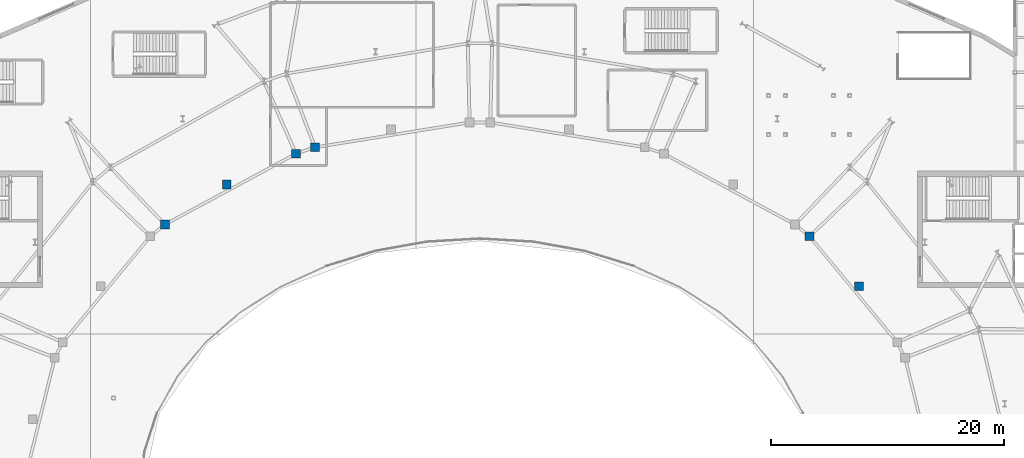
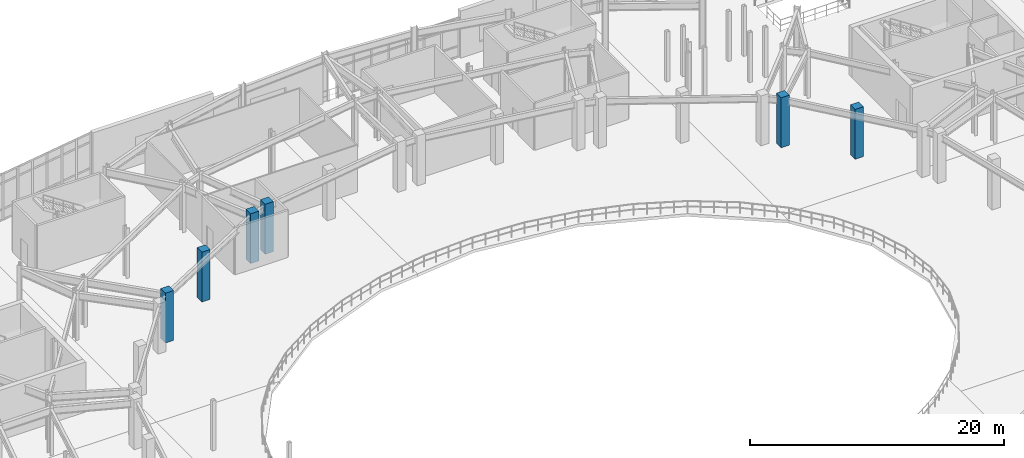
# One storey, part 14 of 86: 6 columns.
"""IFC4 building model written with IfcOpenShell, lengths in metres."""

from ifc_helpers import new_model, si_unit, direction, frame, origin, origin_2d, place, context, subcontext, project, spatial, rectangle, extrude, material, material_profile, profile_set, type_object, element, save


model = new_model("IFC4")

# Units and contexts
model_context = context("Model", 3, precision=1e-05, world=origin(), true_north=direction((0.0, 1.0)))
body_context = subcontext(model_context, "Body", "Model", "MODEL_VIEW")
ifc_project = project(units=[si_unit("LENGTHUNIT", "METRE"), si_unit("AREAUNIT", "SQUARE_METRE"), si_unit("VOLUMEUNIT", "CUBIC_METRE"), si_unit("PLANEANGLEUNIT", "RADIAN"), si_unit("MASSUNIT", "GRAM", prefix="KILO")], contexts=[model_context])

# Site, building, storey
site_placement = place(None, origin())
site = spatial("IfcSite", under=ifc_project, at=site_placement, CompositionType="ELEMENT")
building_placement = place(site_placement, origin())
building = spatial("IfcBuilding", under=site, at=building_placement, Name="Glasvene Arena", CompositionType="ELEMENT")
storey_placement = place(building_placement, frame((0.0, 0.0, 5.39990234375)))
storey = spatial("IfcBuildingStorey", under=building, at=storey_placement, Name="L01", CompositionType="ELEMENT", Elevation=5.39990234375)

# Columns
ifc_material = material(Name="Concrete C40/50", Category="concrete")
ifc_material_profile = material_profile(ifc_material, rectangle(XDim=0.75, YDim=0.75, at=origin_2d()), Name="RC 750x750")
ifc_profile_set = profile_set([ifc_material_profile], Name="Concrete C40/50")
column_type = type_object("IfcColumnType", Name="COL-MID-RC750", PredefinedType="COLUMN", material=ifc_profile_set)
for number, where, z_axis, x_axis, name in (
    (1, (120.34033203125, 94.90087890625, 0.0), (0.0, 0.0, 1.0), (1.0, 0.0, 0.0), "Mid-bowl fulcrum column L01 02-2"),
    (2, (77.82421875, 102.5546875, 0.0), (0.0, 0.0, 1.0), (1.0, 0.0, 0.0), "Mid-bowl fulcrum column L01 05-2"),
    (3, (76.180908203125, 102.004150390625, 0.0), (0.0, 0.0, 1.0), (1.0, 0.0, 0.0), "Mid-bowl fulcrum column L01 06-1"),
    (4, (64.91748046875, 95.918212890625, 0.0), (0.0, 0.0, 1.0), (1.0, 0.0, 0.0), "Mid-bowl fulcrum column L01 06-2"),
    (5, (124.593505859375, 90.611572265625, 0.0), (0.0, 0.0, 1.0), (1.0, 0.0, 0.0), "Mid-sector fulcrum column L01 02"),
    (6, (70.2216796875, 99.357666015625, 0.0), (0.0, 0.0, 1.0), (1.0, 0.0, 0.0), "Mid-sector fulcrum column L01 06"),
):
    element("IfcColumn", number, at=place(storey_placement, frame(where, z_axis=z_axis, x_axis=x_axis)), inside=storey, type_object=column_type, Name=name, PredefinedType="COLUMN", context=body_context, shape_type="SweptSolid", body=[
        extrude(rectangle(XDim=0.75, YDim=0.75, at=origin_2d()), origin(), (0.0, 0.0, 1.0), 4.800048828125),
    ])

save(model, "model.ifc")
